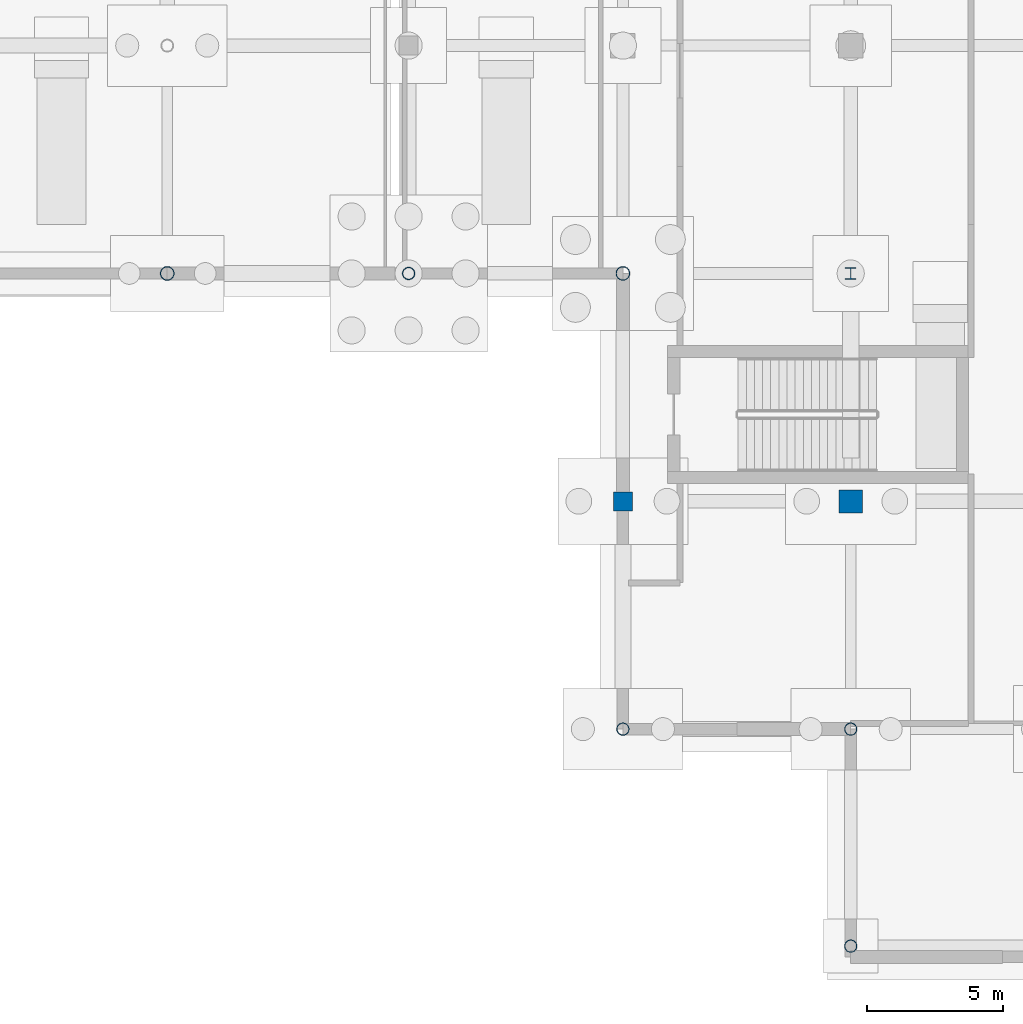
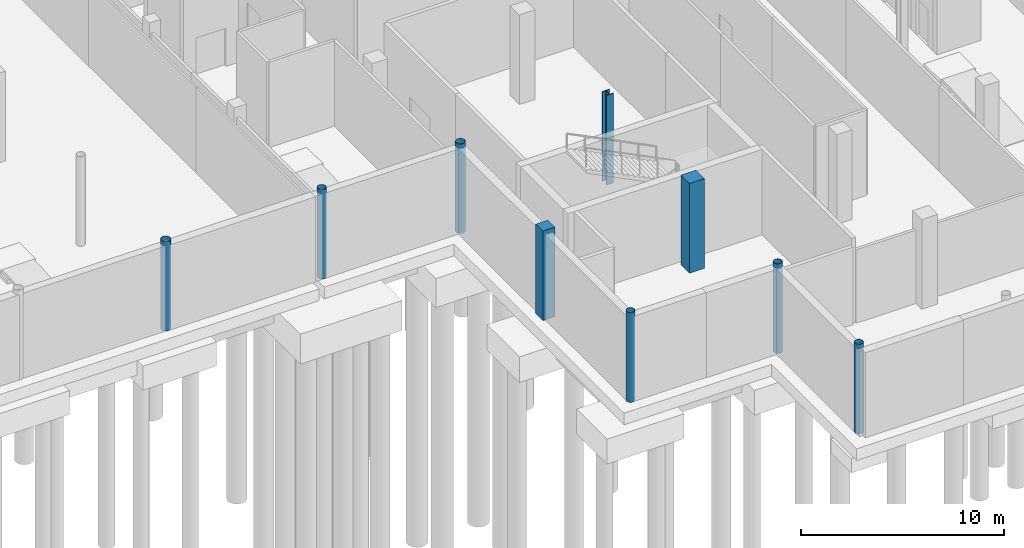
# One storey, part 9 of 49: 9 columns.
"""IFC4 building model written with IfcOpenShell, lengths in metres."""

from ifc_helpers import new_model, si_unit, direction, frame, origin, origin_2d, place, context, subcontext, project, spatial, rectangle, hollow_circle, i_section, extrude, material, material_profile, profile_set, type_object, element, save


model = new_model("IFC4")

# Units and contexts
model_context = context("Model", 3, precision=1e-05, world=origin(), true_north=direction((0.0, 1.0)))
body_context = subcontext(model_context, "Body", "Model", "MODEL_VIEW")
ifc_project = project(units=[si_unit("LENGTHUNIT", "METRE"), si_unit("AREAUNIT", "SQUARE_METRE"), si_unit("VOLUMEUNIT", "CUBIC_METRE"), si_unit("PLANEANGLEUNIT", "RADIAN"), si_unit("MASSUNIT", "GRAM", prefix="KILO"), si_unit("THERMODYNAMICTEMPERATUREUNIT", "KELVIN")], contexts=[model_context])

# Site, building, storey
site_placement = place(None, origin())
site = spatial("IfcSite", under=ifc_project, at=site_placement, CompositionType="ELEMENT")
building_placement = place(site_placement, origin())
building = spatial("IfcBuilding", under=site, at=building_placement, Name="Lustrewick Department Store", CompositionType="ELEMENT")
storey_placement = place(building_placement, frame((0.0, 0.0, -5.39990234375)))
storey = spatial("IfcBuildingStorey", under=building, at=storey_placement, Name="B1", CompositionType="ELEMENT", Elevation=-5.39990234375)

# Columns
ifc_material_1 = material(Name="Structural steel Q355C", Category="steel")
ifc_material_profile_1 = material_profile(ifc_material_1, i_section(OverallWidth=0.406982421875, OverallDepth=0.427978515625, WebThickness=0.02001953125, FlangeThickness=0.034912109375, FilletRadius=0.02197265625, at=origin_2d()), Name="HW 428x407x20x35")
ifc_profile_set_1 = profile_set([ifc_material_profile_1], Name="Structural steel Q355C")
column_type_1 = type_object("IfcColumnType", Name="C09", PredefinedType="COLUMN", material=ifc_profile_set_1)
column_1_placement = place(storey_placement, frame((126.0, 25.199951171875, 0.0), z_axis=(0.0, 0.0, 1.0), x_axis=(1.0, 0.0, 0.0)))
element("IfcColumn", 1, at=column_1_placement, inside=storey, type_object=column_type_1, Name="B1 V3 Column C09", PredefinedType="COLUMN", context=body_context, shape_type="SweptSolid", body=[
    extrude(i_section(OverallWidth=0.406982421875, OverallDepth=0.427978515625, WebThickness=0.02001953125, FlangeThickness=0.034912109375, FilletRadius=0.02197265625, at=origin_2d()), origin(), (0.0, 0.0, 1.0), 5.39990234375),
])
ifc_material_2 = material(Name="Concrete C50", Category="concrete")
ifc_material_profile_2 = material_profile(ifc_material_2, rectangle(XDim=0.85009765625, YDim=0.85009765625, at=origin_2d()), Name="RC 850x850")
ifc_profile_set_2 = profile_set([ifc_material_profile_2], Name="Concrete C50")
column_type_2 = type_object("IfcColumnType", Name="C18", PredefinedType="COLUMN", material=ifc_profile_set_2)
column_2_placement = place(storey_placement, frame((126.0, 16.800048828125, 0.0), z_axis=(0.0, 0.0, 1.0), x_axis=(1.0, 0.0, 0.0)))
element("IfcColumn", 2, at=column_2_placement, inside=storey, type_object=column_type_2, Name="B1 V3 Column C18", PredefinedType="COLUMN", context=body_context, shape_type="SweptSolid", body=[
    extrude(rectangle(XDim=0.85009765625, YDim=0.85009765625, at=origin_2d()), origin(), (0.0, 0.0, 1.0), 5.39990234375),
])
ifc_material_profile_3 = material_profile(ifc_material_1, hollow_circle(Radius=0.25390625, WallThickness=0.01611328125, at=origin_2d()), Name="CHS 508x16")
ifc_profile_set_3 = profile_set([ifc_material_profile_3], Name="Structural steel Q355C")
column_type_3 = type_object("IfcColumnType", Name="CE01", PredefinedType="COLUMN", material=ifc_profile_set_3)
for number, where, z_axis, x_axis, name in (
    (3, (100.800048828125, 25.199951171875, 0.0), (0.0, 0.0, 1.0), (1.0, 0.0, 0.0), "B1 V2 Column CE01"),
    (4, (117.60009765625, 25.199951171875, 0.0), (0.0, 0.0, 1.0), (1.0, 0.0, 0.0), "B1 V3 Column CE01"),
):
    element("IfcColumn", number, at=place(storey_placement, frame(where, z_axis=z_axis, x_axis=x_axis)), inside=storey, type_object=column_type_3, Name=name, PredefinedType="COLUMN", context=body_context, shape_type="SweptSolid", body=[
        extrude(hollow_circle(Radius=0.25390625, WallThickness=0.01611328125, at=origin_2d()), origin(), (0.0, 0.0, 1.0), 5.39990234375),
    ])
ifc_material_profile_4 = material_profile(ifc_material_1, hollow_circle(Radius=0.228515625, WallThickness=0.01611328125, at=origin_2d()), Name="CHS 457x16")
ifc_profile_set_4 = profile_set([ifc_material_profile_4], Name="Structural steel Q355C")
column_type_4 = type_object("IfcColumnType", Name="CE02", PredefinedType="COLUMN", material=ifc_profile_set_4)
for number, where, z_axis, x_axis, name in (
    (5, (109.699951171875, 25.199951171875, 0.0), (0.0, 0.0, 1.0), (1.0, 0.0, 0.0), "B1 V3 Column CE02"),
    (6, (117.60009765625, 8.39990234375, 0.0), (0.0, 0.0, 1.0), (1.0, 0.0, 0.0), "B1 V3 Column CE02"),
    (7, (126.0, 0.39990234375, 0.0), (0.0, 0.0, 1.0), (1.0, 0.0, 0.0), "B1 V3 Column CE02"),
    (8, (126.0, 8.39990234375, 0.0), (0.0, 0.0, 1.0), (1.0, 0.0, 0.0), "B1 V3 Column CE02"),
):
    element("IfcColumn", number, at=place(storey_placement, frame(where, z_axis=z_axis, x_axis=x_axis)), inside=storey, type_object=column_type_4, Name=name, PredefinedType="COLUMN", context=body_context, shape_type="SweptSolid", body=[
        extrude(hollow_circle(Radius=0.228515625, WallThickness=0.01611328125, at=origin_2d()), origin(), (0.0, 0.0, 1.0), 5.39990234375),
    ])
ifc_material_3 = material(Name="Concrete C40", Category="concrete")
ifc_material_profile_5 = material_profile(ifc_material_3, rectangle(XDim=0.699951171875, YDim=0.699951171875, at=origin_2d()), Name="RC 700x700")
ifc_profile_set_5 = profile_set([ifc_material_profile_5], Name="Concrete C40")
column_type_5 = type_object("IfcColumnType", Name="CE06", PredefinedType="COLUMN", material=ifc_profile_set_5)
column_3_placement = place(storey_placement, frame((117.60009765625, 16.800048828125, 0.0), z_axis=(0.0, 0.0, 1.0), x_axis=(1.0, 0.0, 0.0)))
element("IfcColumn", 9, at=column_3_placement, inside=storey, type_object=column_type_5, Name="B1 V3 Column CE06", PredefinedType="COLUMN", context=body_context, shape_type="SweptSolid", body=[
    extrude(rectangle(XDim=0.699951171875, YDim=0.699951171875, at=origin_2d()), origin(), (0.0, 0.0, 1.0), 5.39990234375),
])

save(model, "model.ifc")
